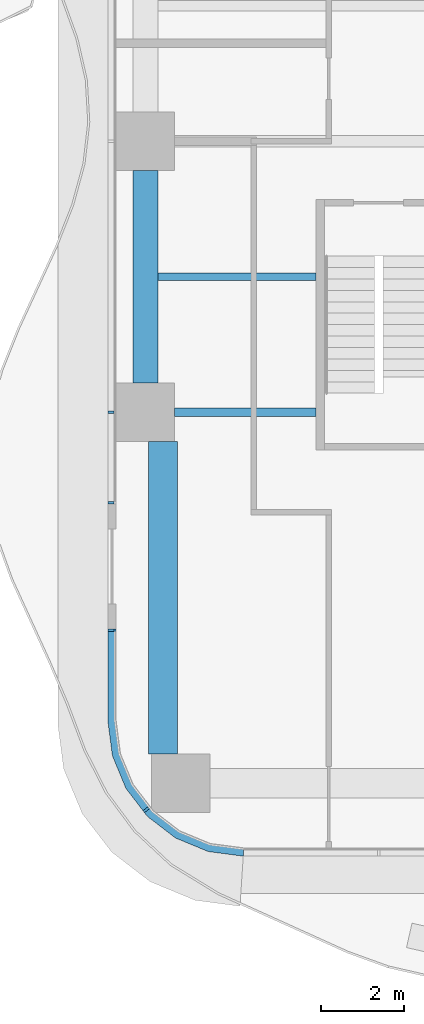
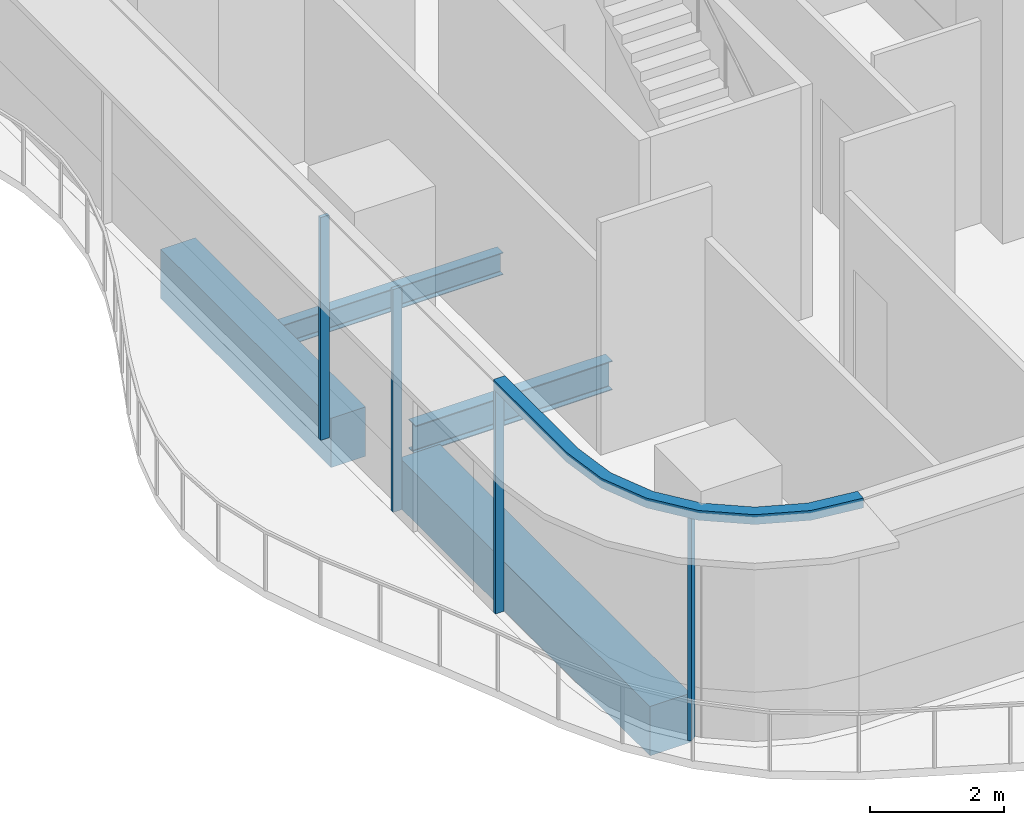
# One storey, part 2 of 22: 5 members, 4 beams, 2 elements without a shape of their own.
"""IFC4 building model written with IfcOpenShell, lengths in metres."""

import ifcopenshell
import ifcopenshell.guid

model = None  # the IFC model being written
_history = None  # IfcOwnerHistory: only IFC2X3 demands one
_inside = {}  # id of a spatial element -> (the spatial element, [elements in it])
_under = {}  # id of a project, library or spatial element -> (it, [spatial elements below it])
_declared = {}  # id of a project -> (the project, [libraries it declares])
_typed = {}  # id of a type object -> (the type object, [elements of that type])
_made_of = {}  # id of a material, layer set ... -> (it, [elements and type objects made of it])


def new_model(schema):
    """Start an empty IFC model of exactly this schema.

    Asked for "IFC4X3", IfcOpenShell would pick the latest addendum, in which some entities
    have other attributes; the version numbers below select the first issue.
    IFC2X3 requires an IfcOwnerHistory on every rooted entity: one is made here for all.
    """
    global model, _history
    if schema == "IFC4X3":
        model = ifcopenshell.file(schema_version=(4, 3, 0, 0))
    else:
        model = ifcopenshell.file(schema=schema)
    _inside.clear()
    _under.clear()
    _declared.clear()
    _typed.clear()
    _made_of.clear()
    _history = None
    if model.schema == "IFC2X3":
        org = make("IfcOrganization", Name="unknown")
        user = make(
            "IfcPersonAndOrganization",
            ThePerson=make("IfcPerson", FamilyName="unknown"),
            TheOrganization=org,
        )
        app = make(
            "IfcApplication",
            ApplicationDeveloper=org,
            Version="unknown",
            ApplicationFullName="unknown",
            ApplicationIdentifier="unknown",
        )
        _history = make(
            "IfcOwnerHistory",
            OwningUser=user,
            OwningApplication=app,
            ChangeAction="ADDED",
            CreationDate=0,
        )
    return model


def make(cls, **values):
    """One entity of the class cls with the attributes given. An attribute that is None is left unset."""
    return model.create_entity(
        cls, **{name: value for name, value in values.items() if value is not None}
    )


def rooted(cls, **values):
    """An entity with a GlobalId (a new one), such as an element, a storey or a relation."""
    return make(cls, GlobalId=ifcopenshell.guid.new(), OwnerHistory=_history, **values)


def si_unit(unit_type, name, prefix=None):
    """IfcSIUnit, for example si_unit("LENGTHUNIT", "METRE", prefix="MILLI")."""
    return make("IfcSIUnit", UnitType=unit_type, Prefix=prefix, Name=name)


def assignment(units):
    """IfcUnitAssignment: the units of a project."""
    return None if units is None else make("IfcUnitAssignment", Units=units)


def point(xyz):
    """IfcCartesianPoint."""
    return None if xyz is None else make("IfcCartesianPoint", Coordinates=xyz)


def direction(xyz):
    """IfcDirection."""
    return None if xyz is None else make("IfcDirection", DirectionRatios=xyz)


def frame(location, z_axis=None, x_axis=None):
    """IfcAxis2Placement3D, a coordinate frame: its origin and axes. An axis left out is left unset."""
    return make(
        "IfcAxis2Placement3D",
        Location=point(location),
        Axis=direction(z_axis),
        RefDirection=direction(x_axis),
    )


def frame_2d(location, x_axis=None):
    """IfcAxis2Placement2D, a coordinate frame in the plane: its origin and x axis."""
    return make(
        "IfcAxis2Placement2D", Location=point(location), RefDirection=direction(x_axis)
    )


def origin():
    """The frame at (0, 0, 0) with its axes left unset."""
    return frame((0.0, 0.0, 0.0))


def origin_2d():
    """The frame at (0, 0) in the plane with its x axis left unset."""
    return frame_2d((0.0, 0.0))


def place(relative_to, where):
    """IfcLocalPlacement: puts the frame where relative to a parent placement (None: the world)."""
    return make(
        "IfcLocalPlacement", PlacementRelTo=relative_to, RelativePlacement=where
    )


def context(
    kind, dimensions, precision=None, world=None, true_north=None, identifier=None
):
    """IfcGeometricRepresentationContext, for example the 3D "Model" context."""
    return make(
        "IfcGeometricRepresentationContext",
        ContextIdentifier=identifier,
        ContextType=kind,
        CoordinateSpaceDimension=dimensions,
        Precision=precision,
        WorldCoordinateSystem=world,
        TrueNorth=true_north,
    )


def subcontext(parent, identifier, kind, view, scale=None):
    """IfcGeometricRepresentationSubContext, for example "Body" below "Model"."""
    return make(
        "IfcGeometricRepresentationSubContext",
        ContextIdentifier=identifier,
        ContextType=kind,
        ParentContext=parent,
        TargetScale=scale,
        TargetView=view,
    )


def project(units=None, contexts=None):
    """IfcProject with its units and contexts."""
    return rooted(
        "IfcProject",
        Name="project",
        RepresentationContexts=contexts,
        UnitsInContext=assignment(units),
    )


def spatial(cls, under=None, at=None, **own):
    """A site, building, storey or space (cls), placed at a placement, below another one or the project."""
    s = rooted(cls, ObjectPlacement=at, **own)
    if under is not None:
        _under.setdefault(under.id(), (under, []))[1].append(s)
    return s


def polyline(points):
    """IfcPolyline through the points."""
    return make("IfcPolyline", Points=[point(p) for p in points])


def profile(cls, at=None, kind="AREA", **sizes):
    """A parametric profile (cls). Its sizes go by their IFC names, for example OverallWidth=200.0."""
    return make(cls, ProfileType=kind, Position=at, **sizes)


def rectangle(**sizes):
    """IfcRectangleProfileDef."""
    return profile("IfcRectangleProfileDef", **sizes)


def i_section(**sizes):
    """IfcIShapeProfileDef."""
    return profile("IfcIShapeProfileDef", **sizes)


def outline(outer, holes=None, kind="AREA"):
    """IfcArbitraryClosedProfileDef: a profile drawn as a closed curve; with holes, ...WithVoids."""
    if holes is None:
        return make("IfcArbitraryClosedProfileDef", ProfileType=kind, OuterCurve=outer)
    return make(
        "IfcArbitraryProfileDefWithVoids",
        ProfileType=kind,
        OuterCurve=outer,
        InnerCurves=holes,
    )


def extrude(swept, where, along, depth):
    """IfcExtrudedAreaSolid: the profile swept, set in the frame where, extruded along a direction by depth."""
    return make(
        "IfcExtrudedAreaSolid",
        SweptArea=swept,
        Position=where,
        ExtrudedDirection=direction(along),
        Depth=depth,
    )


def shape(context_of_items, identifier, shape_type, items):
    """IfcShapeRepresentation: the items that make up one representation, for example the "Body"."""
    return make(
        "IfcShapeRepresentation",
        ContextOfItems=context_of_items,
        RepresentationIdentifier=identifier,
        RepresentationType=shape_type,
        Items=items,
    )


def source(mapping_origin, context_of_items, identifier, shape_type, items):
    """IfcRepresentationMap: a shape defined once, which mapped items show again and again."""
    return make(
        "IfcRepresentationMap",
        MappingOrigin=mapping_origin,
        MappedRepresentation=shape(context_of_items, identifier, shape_type, items),
    )


def transform(
    local_origin,
    x_axis=None,
    y_axis=None,
    z_axis=None,
    scale=None,
    scale2=None,
    scale3=None,
    uniform=True,
):
    """IfcCartesianTransformationOperator3D, or its non-uniform kind. x_axis, y_axis, z_axis: its Axis1, 2, 3."""
    if uniform:
        return make(
            "IfcCartesianTransformationOperator3D",
            Axis1=direction(x_axis),
            Axis2=direction(y_axis),
            LocalOrigin=point(local_origin),
            Scale=scale,
            Axis3=direction(z_axis),
        )
    return make(
        "IfcCartesianTransformationOperator3DnonUniform",
        Axis1=direction(x_axis),
        Axis2=direction(y_axis),
        LocalOrigin=point(local_origin),
        Scale=scale,
        Axis3=direction(z_axis),
        Scale2=scale2,
        Scale3=scale3,
    )


def mapped(mapping_source, mapping_target):
    """IfcMappedItem: shows the shape of a source again, moved by a transform."""
    return make(
        "IfcMappedItem", MappingSource=mapping_source, MappingTarget=mapping_target
    )


def material(Name=None, Category=None):
    """IfcMaterial."""
    return make("IfcMaterial", Name=Name, Category=Category)


def layer(
    of_material, thickness, ventilated=None, Name=None, Category=None, Priority=None
):
    """IfcMaterialLayer: one layer of a wall or slab, of a material (None: an air gap)."""
    return make(
        "IfcMaterialLayer",
        Material=of_material,
        LayerThickness=thickness,
        IsVentilated=ventilated,
        Name=Name,
        Category=Category,
        Priority=Priority,
    )


def layer_set(layers, Name=None):
    """IfcMaterialLayerSet."""
    return make("IfcMaterialLayerSet", MaterialLayers=layers, LayerSetName=Name)


def material_profile(
    of_material, cross_section, Name=None, Category=None, Priority=None
):
    """IfcMaterialProfile: a cross section and its material."""
    return make(
        "IfcMaterialProfile",
        Name=Name,
        Material=of_material,
        Profile=cross_section,
        Priority=Priority,
        Category=Category,
    )


def profile_set(profiles, Name=None, composite=None):
    """IfcMaterialProfileSet."""
    return make(
        "IfcMaterialProfileSet",
        Name=Name,
        MaterialProfiles=profiles,
        CompositeProfile=composite,
    )


def made_of(thing, what):
    """Note that an element or type object is made of a material, layer set ...; save() writes the relation."""
    if what is not None:
        _made_of.setdefault(what.id(), (what, []))[1].append(thing)
    return thing


def type_object(cls, material=None, **own):
    """A type object (cls), such as IfcWallType, which elements share."""
    return made_of(rooted(cls, **own), material)


def element(
    cls,
    number,
    at=None,
    inside=None,
    cuts=None,
    type_object=None,
    material=None,
    context=None,
    identifier="Body",
    shape_type=None,
    held_by="IfcProductDefinitionShape",
    body=None,
    shapes=None,
    **own,
):
    """One element of the class cls, such as IfcWall. Its Tag is "e" and its number.

    at: its placement. inside: the storey or other place that contains it. cuts: it is an
    opening in that element (IfcRelVoidsElement). A single representation is given by context,
    identifier, shape_type and body (its items); several are given by shapes. held_by: the class
    of the entity that holds the representations. save() writes the other relations.
    """
    e = rooted(cls, Tag="e%d" % number, ObjectPlacement=at, **own)
    if body is not None:
        shapes = [shape(context, identifier, shape_type, body)]
    if shapes is not None:
        e.Representation = make(held_by, Representations=shapes)
    if inside is not None:
        _inside.setdefault(inside.id(), (inside, []))[1].append(e)
    if cuts is not None:
        rooted(
            "IfcRelVoidsElement", RelatingBuildingElement=cuts, RelatedOpeningElement=e
        )
    if type_object is not None:
        _typed.setdefault(type_object.id(), (type_object, []))[1].append(e)
    return made_of(e, material)


def aggregate(whole, parts):
    """IfcRelAggregates: a whole, such as a stair, and the parts it consists of."""
    return rooted("IfcRelAggregates", RelatingObject=whole, RelatedObjects=parts)


def save(model, path):
    """Write the relations noted so far, then the file.

    IfcRelAggregates (storeys below a building ...), IfcRelContainedInSpatialStructure (elements
    in a storey), IfcRelDefinesByType, IfcRelAssociatesMaterial and IfcRelDeclares: one each for
    every whole, place, type object, material and project.
    """
    for whole, parts in _under.values():
        aggregate(whole, parts)
    for where, things in _inside.values():
        rooted(
            "IfcRelContainedInSpatialStructure",
            RelatedElements=things,
            RelatingStructure=where,
        )
    for kind, things in _typed.values():
        rooted("IfcRelDefinesByType", RelatedObjects=things, RelatingType=kind)
    for what, things in _made_of.values():
        rooted("IfcRelAssociatesMaterial", RelatedObjects=things, RelatingMaterial=what)
    for by, libraries in _declared.values():
        rooted("IfcRelDeclares", RelatingContext=by, RelatedDefinitions=libraries)
    model.write(path)


model = new_model("IFC4")

# Units and contexts
model_context = context("Model", 3, precision=1e-05, world=origin(), true_north=direction((0.0, 1.0)))
body_context = subcontext(model_context, "Body", "Model", "MODEL_VIEW")
ifc_project = project(units=[si_unit("LENGTHUNIT", "METRE"), si_unit("AREAUNIT", "SQUARE_METRE"), si_unit("VOLUMEUNIT", "CUBIC_METRE"), si_unit("PLANEANGLEUNIT", "RADIAN"), si_unit("MASSUNIT", "GRAM", prefix="KILO")], contexts=[model_context])

# Site, building, storey
site_placement = place(None, origin())
site = spatial("IfcSite", under=ifc_project, at=site_placement, CompositionType="ELEMENT")
building_placement = place(site_placement, origin())
building = spatial("IfcBuilding", under=site, at=building_placement, Name="Trellis Farm Tower", CompositionType="ELEMENT")
storey_placement = place(building_placement, frame((0.0, 0.0, 56.5)))
storey = spatial("IfcBuildingStorey", under=building, at=storey_placement, Name="L11", CompositionType="ELEMENT", Elevation=56.5)

# Beams
ifc_material_1 = material(Name="Steel S355", Category="steel")
ifc_material_profile_1 = material_profile(ifc_material_1, i_section(OverallWidth=0.209228515625, OverallDepth=0.533203125, WebThickness=0.010009765625, FlangeThickness=0.015625, FilletRadius=0.0126953125, at=origin_2d()), Name="UB 533x210x92")
ifc_profile_set_1 = profile_set([ifc_material_profile_1], Name="Steel S355")
beam_type_1 = type_object("IfcBeamType", Name="UB 533x210x92", PredefinedType="BEAM", material=ifc_profile_set_1)
shared_shape_1 = source(origin(), body_context, "Body", "SweptSolid", [
    extrude(i_section(OverallWidth=0.209228515625, OverallDepth=0.533203125, WebThickness=0.010009765625, FlangeThickness=0.015625, FilletRadius=0.0126953125, at=origin_2d()), origin(), (0.0, 0.0, 1.0), 3.39990234375),
])
beam_1_placement = place(storey_placement, frame((-4.89990234375, -18.60009765625, -0.5166015625), z_axis=(1.0, 0.0, 0.0), x_axis=(0.0, 1.0, 0.0)))
element("IfcBeam", 1, at=beam_1_placement, inside=storey, type_object=beam_type_1, Name="Girder", PredefinedType="BEAM", context=body_context, shape_type="MappedRepresentation", body=[
    mapped(shared_shape_1, transform((0.0, 0.0, 0.0))),
])
ifc_material_2 = material(Name="Concrete C60/75", Category="concrete")
ifc_material_profile_2 = material_profile(ifc_material_2, rectangle(XDim=0.60009765625, YDim=0.89990234375, at=origin_2d()), Name="RC spandrel beam 600x900 C60/75")
ifc_profile_set_2 = profile_set([ifc_material_profile_2], Name="Concrete C60/75")
beam_type_2 = type_object("IfcBeamType", Name="RC spandrel beam 600x900 C60/75", PredefinedType="SPANDREL", material=ifc_profile_set_2)
shared_shape_2 = source(origin(), body_context, "Body", "SweptSolid", [
    extrude(rectangle(XDim=0.60009765625, YDim=0.89990234375, at=origin_2d()), origin(), (0.0, 0.0, 1.0), 5.099853515625),
])
beam_2_placement = place(storey_placement, frame((-5.60009765625, -17.89990234375, -0.699951171875), z_axis=(0.0, 1.0, 0.0), x_axis=(-1.0, 0.0, 0.0)))
element("IfcBeam", 2, at=beam_2_placement, inside=storey, type_object=beam_type_2, Name="Girder", PredefinedType="SPANDREL", context=body_context, shape_type="MappedRepresentation", body=[
    mapped(shared_shape_2, transform((0.0, 0.0, 0.0))),
])
ifc_material_profile_3 = material_profile(ifc_material_2, rectangle(XDim=0.699951171875, YDim=0.89990234375, at=origin_2d()), Name="RC spandrel beam 700x900 C60/75")
ifc_profile_set_3 = profile_set([ifc_material_profile_3], Name="Concrete C60/75")
beam_type_3 = type_object("IfcBeamType", Name="RC spandrel beam 700x900 C60/75", PredefinedType="SPANDREL", material=ifc_profile_set_3)
shared_shape_3 = source(origin(), body_context, "Body", "SweptSolid", [
    extrude(rectangle(XDim=0.699951171875, YDim=0.89990234375, at=origin_2d()), origin(), (0.0, 0.0, 1.0), 7.5),
])
beam_3_placement = place(storey_placement, frame((-5.175048828125, -26.800048828125, -0.699951171875), z_axis=(0.0, 1.0, 0.0), x_axis=(-1.0, 0.0, 0.0)))
element("IfcBeam", 3, at=beam_3_placement, inside=storey, type_object=beam_type_3, Name="Girder", PredefinedType="SPANDREL", context=body_context, shape_type="MappedRepresentation", body=[
    mapped(shared_shape_3, transform((0.0, 0.0, 0.0))),
])
ifc_material_profile_4 = material_profile(ifc_material_1, i_section(OverallWidth=0.177978515625, OverallDepth=0.406494140625, WebThickness=0.0078125, FlangeThickness=0.0126953125, FilletRadius=0.01025390625, at=origin_2d()), Name="UB 406x178x60")
ifc_profile_set_4 = profile_set([ifc_material_profile_4], Name="Steel S355")
beam_type_4 = type_object("IfcBeamType", Name="UB 406x178x60 joist", PredefinedType="JOIST", material=ifc_profile_set_4)
shared_shape_4 = source(origin(), body_context, "Body", "SweptSolid", [
    extrude(i_section(OverallWidth=0.177978515625, OverallDepth=0.406494140625, WebThickness=0.0078125, FlangeThickness=0.0126953125, FilletRadius=0.01025390625, at=origin_2d()), origin(), (0.0, 0.0, 1.0), 3.800048828125),
])
beam_4_placement = place(storey_placement, frame((-5.300048828125, -15.35009765625, -0.453125), z_axis=(1.0, 0.0, 0.0), x_axis=(0.0, 1.0, 0.0)))
element("IfcBeam", 4, at=beam_4_placement, inside=storey, type_object=beam_type_4, Name="Floor beam", PredefinedType="JOIST", context=body_context, shape_type="MappedRepresentation", body=[
    mapped(shared_shape_4, transform((0.0, 0.0, 0.0))),
])

# Curtain wall, members
ifc_material_3 = material(Name="Aluminium and glass curtain wall", Category="aluminium")
ifc_layer_1 = layer(ifc_material_3, 0.18994140625)
ifc_layer_set_1 = layer_set([ifc_layer_1], Name="RIBBON CURTAIN WALL CW1")
curtain_wall_type = type_object("IfcCurtainWallType", Name="RIBBON CURTAIN WALL CW1", PredefinedType="NOTDEFINED", material=ifc_layer_set_1)
placement = place(storey_placement, origin())
curtain_wall_1 = element("IfcCurtainWall", 5, at=placement, inside=storey, type_object=curtain_wall_type, Name="CW1 002", PredefinedType="NOTDEFINED")
ifc_material_4 = material(Name="Aluminium extrusion 6063-T6", Category="aluminium")
ifc_material_profile_5 = material_profile(ifc_material_4, rectangle(XDim=0.06005859375, YDim=0.14990234375, at=origin_2d()), Name="MULLION 60x150")
ifc_profile_set_5 = profile_set([ifc_material_profile_5], Name="Aluminium extrusion 6063-T6")
member_type_1 = type_object("IfcMemberType", Name="CW1 MULLION 60x150", PredefinedType="MULLION", material=ifc_profile_set_5)
shared_shape_5 = source(origin(), body_context, "Body", "SweptSolid", [
    extrude(rectangle(XDim=0.06005859375, YDim=0.14990234375, at=origin_2d()), origin(), (0.0, 0.0, 1.0), 4.070068359375),
])
member_1_placement = place(storey_placement, frame((-6.425048828125, -18.60009765625, 0.0), z_axis=(0.0, 0.0, 1.0), x_axis=(0.0, -1.0, 0.0)))
member_1 = element("IfcMember", 6, at=member_1_placement, type_object=member_type_1, Name="MU1 002-02", PredefinedType="MULLION", context=body_context, shape_type="MappedRepresentation", body=[
    mapped(shared_shape_5, transform((0.0, 0.0, 0.0))),
])
member_2_placement = place(storey_placement, frame((-6.425048828125, -20.77001953125, 0.0), z_axis=(0.0, 0.0, 1.0), x_axis=(0.0, -1.0, 0.0)))
member_2 = element("IfcMember", 7, at=member_2_placement, type_object=member_type_1, Name="MU1 002-03", PredefinedType="MULLION", context=body_context, shape_type="MappedRepresentation", body=[
    mapped(shared_shape_5, transform((0.0, 0.0, 0.0))),
])
aggregate(curtain_wall_1, [member_1, member_2])

curtain_wall_2 = element("IfcCurtainWall", 8, at=placement, inside=storey, type_object=curtain_wall_type, Name="CW1 003", PredefinedType="NOTDEFINED")
member_3_placement = place(storey_placement, frame((-6.425048828125, -23.830078125, 0.0), z_axis=(0.0, 0.0, 1.0), x_axis=(0.0, -1.0, 0.0)))
member_3 = element("IfcMember", 9, at=member_3_placement, type_object=member_type_1, Name="MU1 003-01", PredefinedType="MULLION", context=body_context, shape_type="MappedRepresentation", body=[
    mapped(shared_shape_5, transform((0.0, 0.0, 0.0))),
])
member_4_placement = place(storey_placement, frame((-5.578369140625, -28.135498046875, 0.0), z_axis=(0.0, 0.0, 1.0), x_axis=(0.608761429009, -0.793353340291, 0.0)))
member_4 = element("IfcMember", 10, at=member_4_placement, type_object=member_type_1, Name="MU1 003-02", PredefinedType="MULLION", context=body_context, shape_type="MappedRepresentation", body=[
    mapped(shared_shape_5, transform((0.0, 0.0, 0.0))),
])
ifc_layer_2 = layer(ifc_material_4, 0.199951171875)
ifc_layer_set_2 = layer_set([ifc_layer_2], Name="Aluminium extrusion 6063-T6")
member_type_2 = type_object("IfcMemberType", Name="CW1 TRANSOM 200x180", PredefinedType="USERDEFINED", material=ifc_layer_set_2)
shared_shape_6 = source(origin(), body_context, "Body", "SweptSolid", [
    extrude(outline(polyline([(-6.5, -23.800048828125), (-6.5, -26.0), (-6.38916015625, -26.841064453125), (-6.064697265625, -27.625), (-5.548095703125, -28.298095703125), (-4.875, -28.814697265625), (-4.091064453125, -29.13916015625), (-3.25, -29.25), (-3.23681640625, -29.050048828125), (-4.0390625, -28.9443359375), (-4.774169921875, -28.639892578125), (-5.405517578125, -28.155517578125), (-5.889892578125, -27.524169921875), (-6.1943359375, -26.7890625), (-6.300048828125, -25.98681640625), (-6.300048828125, -23.800048828125), (-6.5, -23.800048828125)])), origin(), (0.0, 0.0, 1.0), 0.179931640625),
])
member_5_placement = place(storey_placement, frame((0.0, 0.0, 4.070068359375)))
member_5 = element("IfcMember", 11, at=member_5_placement, type_object=member_type_2, Name="TR1 003", ObjectType="TRANSOM", PredefinedType="USERDEFINED", context=body_context, shape_type="MappedRepresentation", body=[
    mapped(shared_shape_6, transform((0.0, 0.0, 0.0))),
])
aggregate(curtain_wall_2, [member_3, member_4, member_5])

save(model, "model.ifc")
